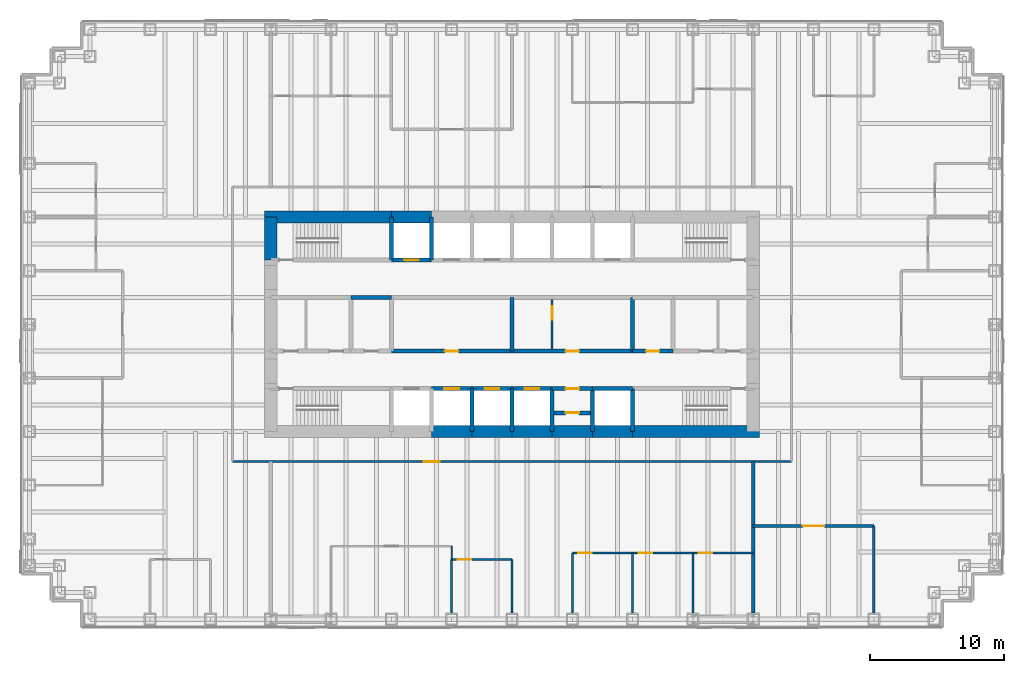
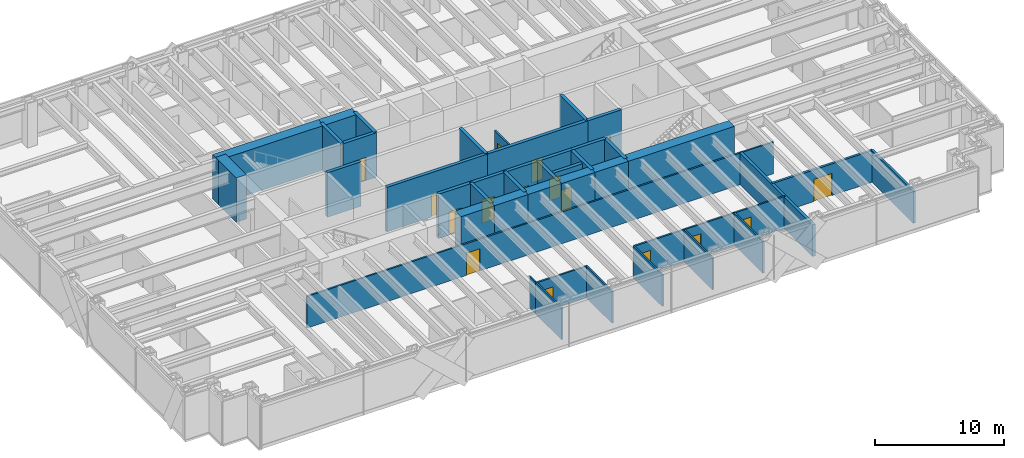
# One storey, part 14 of 17: 42 walls, 16 doors, 16 openings.
"""IFC4 building model written with IfcOpenShell, lengths in metres."""

from ifc_helpers import new_model, si_unit, direction, frame, frame_2d, origin, place, context, subcontext, project, spatial, rectangle, extrude, material, layer, layer_set, type_object, element, fill, save


model = new_model("IFC4")

# Units and contexts
model_context = context("Model", 3, precision=1e-05, world=origin(), true_north=direction((0.0, 1.0)))
body_context = subcontext(model_context, "Body", "Model", "MODEL_VIEW")
ifc_project = project(units=[si_unit("LENGTHUNIT", "METRE"), si_unit("AREAUNIT", "SQUARE_METRE"), si_unit("VOLUMEUNIT", "CUBIC_METRE"), si_unit("PLANEANGLEUNIT", "RADIAN"), si_unit("MASSUNIT", "GRAM", prefix="KILO")], contexts=[model_context])

# Site, building, storey
site_placement = place(None, origin())
site = spatial("IfcSite", under=ifc_project, at=site_placement, CompositionType="ELEMENT")
building_placement = place(site_placement, origin())
building = spatial("IfcBuilding", under=site, at=building_placement, Name="Rheinbord Bourse Tower", CompositionType="ELEMENT")
storey_placement = place(building_placement, frame((0.0, 0.0, 138.300048828125)))
storey = spatial("IfcBuildingStorey", under=building, at=storey_placement, Name="L30", CompositionType="ELEMENT", Elevation=138.300048828125)

# Wall, opening, door
ifc_material_1 = material(Name="Acoustic gypsum board partition", Category="gypsum board")
ifc_layer_1 = layer(ifc_material_1, 0.199951171875)
ifc_layer_set_1 = layer_set([ifc_layer_1], Name="ACOUSTIC PARTITION 200")
wall_type_1 = type_object("IfcWallType", Name="ACOUSTIC PARTITION 200", PredefinedType="PARTITIONING", material=ifc_layer_set_1)
wall_1_placement = place(storey_placement, frame((54.0, 8.949951171875, 0.0), z_axis=(0.0, 0.0, 1.0), x_axis=(1.0, 0.0, 0.0)))
wall_1 = element("IfcWall", 1, at=wall_1_placement, inside=storey, type_object=wall_type_1, Name="Partition L30-05", PredefinedType="PARTITIONING", context=body_context, shape_type="SweptSolid", body=[
    extrude(rectangle(XDim=9.0, YDim=0.199951171875, at=frame_2d((4.5, 0.0))), origin(), (0.0, 0.0, 1.0), 3.0),
])
opening_1_placement = place(wall_1_placement, frame((3.699951171875, 0.0, 0.0)))
opening_1 = element("IfcOpeningElement", 2, at=opening_1_placement, cuts=wall_1, Name="Opening 30D07", PredefinedType="OPENING", context=body_context, shape_type="SweptSolid", body=[
    extrude(rectangle(XDim=1.60009765625, YDim=2.10009765625, at=frame_2d((0.800048828125, 1.050048828125))), frame((0.0, 0.10986328125, 0.0), z_axis=(0.0, -1.0, 0.0), x_axis=(1.0, 0.0, 0.0)), (0.0, 0.0, 1.0), 0.219970703125),
])
ifc_material_2 = material(Name="Timber door", Category="wood")
door_type_1 = type_object("IfcDoorType", Name="DOUBLE ROOM DOOR 1600", OperationType="DOUBLE_DOOR_DOUBLE_SWING", PredefinedType="DOOR", material=ifc_material_2)
door_1_placement = place(opening_1_placement, origin())
door_1 = element("IfcDoor", 3, at=door_1_placement, inside=storey, type_object=door_type_1, Name="Suite boardroom door L30", OperationType="SINGLE_SWING_LEFT", OverallHeight=2.10009765625, OverallWidth=1.60009765625, PredefinedType="DOOR", context=body_context, shape_type="SweptSolid", body=[
    extrude(rectangle(XDim=1.60009765625, YDim=2.10009765625, at=frame_2d((0.800048828125, 1.050048828125))), frame((0.0, 0.02490234375, 0.0), z_axis=(0.0, -1.0, 0.0), x_axis=(1.0, 0.0, 0.0)), (0.0, 0.0, 1.0), 0.050048828125),
])
fill(opening_1, door_1)

# Wall
wall_2_placement = place(storey_placement, frame((63.0, 2.449951171875, 0.0), z_axis=(0.0, 0.0, 1.0), x_axis=(0.0, 1.0, 0.0)))
element("IfcWall", 4, at=wall_2_placement, inside=storey, type_object=wall_type_1, Name="Partition L30-48", PredefinedType="PARTITIONING", context=body_context, shape_type="SweptSolid", body=[
    extrude(rectangle(XDim=6.5, YDim=0.199951171875, at=frame_2d((3.25, 0.0))), origin(), (0.0, 0.0, 1.0), 3.0),
])

# Wall, opening, door
ifc_material_3 = material(Name="Concrete C50/60", Category="concrete")
ifc_layer_2 = layer(ifc_material_3, 0.300048828125)
ifc_layer_set_2 = layer_set([ifc_layer_2], Name="CORE INNER WALL 300")
wall_type_2 = type_object("IfcWallType", Name="CORE INNER WALL 300", PredefinedType="SOLIDWALL", material=ifc_layer_set_2)
wall_3_placement = place(storey_placement, frame((30.0, 19.199951171875, 0.0), z_axis=(0.0, 0.0, 1.0), x_axis=(1.0, 0.0, 0.0)))
wall_3 = element("IfcWall", 5, at=wall_3_placement, inside=storey, type_object=wall_type_2, Name="Core wall A3 L30", PredefinedType="SOLIDWALL", context=body_context, shape_type="SweptSolid", body=[
    extrude(rectangle(XDim=3.0, YDim=0.300048828125, at=frame_2d((1.5, 0.0))), origin(), (0.0, 0.0, 1.0), 4.199951171875),
])
opening_2_placement = place(wall_3_placement, frame((0.949951171875, 0.0, 0.0)))
opening_2 = element("IfcOpeningElement", 6, at=opening_2_placement, cuts=wall_3, Name="Opening PB1", PredefinedType="OPENING", context=body_context, shape_type="SweptSolid", body=[
    extrude(rectangle(XDim=1.10009765625, YDim=2.199951171875, at=frame_2d((0.550048828125, 1.10009765625))), frame((0.0, 0.159912109375, 0.0), z_axis=(0.0, -1.0, 0.0), x_axis=(1.0, 0.0, 0.0)), (0.0, 0.0, 1.0), 0.320068359375),
])
ifc_material_4 = material(Name="Steel landing door", Category="steel")
door_type_2 = type_object("IfcDoorType", Name="LIFT LANDING DOOR 1100", OperationType="DOUBLE_DOOR_SLIDING", PredefinedType="USERDEFINED", material=ifc_material_4)
door_2_placement = place(opening_2_placement, origin())
door_2 = element("IfcDoor", 7, at=door_2_placement, inside=storey, type_object=door_type_2, Name="Lift landing door PB1 L30", ObjectType="LIFT LANDING DOOR", OperationType="DOUBLE_DOOR_SLIDING", OverallHeight=2.199951171875, OverallWidth=1.10009765625, PredefinedType="USERDEFINED", context=body_context, shape_type="SweptSolid", body=[
    extrude(rectangle(XDim=1.10009765625, YDim=2.199951171875, at=frame_2d((0.550048828125, 1.10009765625))), frame((0.0, 0.02490234375, 0.0), z_axis=(0.0, -1.0, 0.0), x_axis=(1.0, 0.0, 0.0)), (0.0, 0.0, 1.0), 0.050048828125),
])
fill(opening_2, door_2)

wall_4_placement = place(storey_placement, frame((33.0, 19.199951171875, 0.0), z_axis=(0.0, 0.0, 1.0), x_axis=(1.0, 0.0, 0.0)))
wall_4 = element("IfcWall", 8, at=wall_4_placement, inside=storey, type_object=wall_type_2, Name="Core wall A4 L30", PredefinedType="SOLIDWALL", context=body_context, shape_type="SweptSolid", body=[
    extrude(rectangle(XDim=3.0, YDim=0.300048828125, at=frame_2d((1.5, 0.0))), origin(), (0.0, 0.0, 1.0), 4.199951171875),
])
opening_3_placement = place(wall_4_placement, frame((0.949951171875, 0.0, 0.0)))
opening_3 = element("IfcOpeningElement", 9, at=opening_3_placement, cuts=wall_4, Name="Opening PB2", PredefinedType="OPENING", context=body_context, shape_type="SweptSolid", body=[
    extrude(rectangle(XDim=1.10009765625, YDim=2.199951171875, at=frame_2d((0.550048828125, 1.10009765625))), frame((0.0, 0.159912109375, 0.0), z_axis=(0.0, -1.0, 0.0), x_axis=(1.0, 0.0, 0.0)), (0.0, 0.0, 1.0), 0.320068359375),
])
door_3_placement = place(opening_3_placement, origin())
door_3 = element("IfcDoor", 10, at=door_3_placement, inside=storey, type_object=door_type_2, Name="Lift landing door PB2 L30", ObjectType="LIFT LANDING DOOR", OperationType="DOUBLE_DOOR_SLIDING", OverallHeight=2.199951171875, OverallWidth=1.10009765625, PredefinedType="USERDEFINED", context=body_context, shape_type="SweptSolid", body=[
    extrude(rectangle(XDim=1.10009765625, YDim=2.199951171875, at=frame_2d((0.550048828125, 1.10009765625))), frame((0.0, 0.02490234375, 0.0), z_axis=(0.0, -1.0, 0.0), x_axis=(1.0, 0.0, 0.0)), (0.0, 0.0, 1.0), 0.050048828125),
])
fill(opening_3, door_3)

wall_5_placement = place(storey_placement, frame((36.0, 19.199951171875, 0.0), z_axis=(0.0, 0.0, 1.0), x_axis=(1.0, 0.0, 0.0)))
wall_5 = element("IfcWall", 11, at=wall_5_placement, inside=storey, type_object=wall_type_2, Name="Core wall A5 L30", PredefinedType="SOLIDWALL", context=body_context, shape_type="SweptSolid", body=[
    extrude(rectangle(XDim=3.0, YDim=0.300048828125, at=frame_2d((1.5, 0.0))), origin(), (0.0, 0.0, 1.0), 4.199951171875),
])
opening_4_placement = place(wall_5_placement, frame((0.949951171875, 0.0, 0.0)))
opening_4 = element("IfcOpeningElement", 12, at=opening_4_placement, cuts=wall_5, Name="Opening PB3", PredefinedType="OPENING", context=body_context, shape_type="SweptSolid", body=[
    extrude(rectangle(XDim=1.10009765625, YDim=2.199951171875, at=frame_2d((0.550048828125, 1.10009765625))), frame((0.0, 0.159912109375, 0.0), z_axis=(0.0, -1.0, 0.0), x_axis=(1.0, 0.0, 0.0)), (0.0, 0.0, 1.0), 0.320068359375),
])
door_4_placement = place(opening_4_placement, origin())
door_4 = element("IfcDoor", 13, at=door_4_placement, inside=storey, type_object=door_type_2, Name="Lift landing door PB3 L30", ObjectType="LIFT LANDING DOOR", OperationType="DOUBLE_DOOR_SLIDING", OverallHeight=2.199951171875, OverallWidth=1.10009765625, PredefinedType="USERDEFINED", context=body_context, shape_type="SweptSolid", body=[
    extrude(rectangle(XDim=1.10009765625, YDim=2.199951171875, at=frame_2d((0.550048828125, 1.10009765625))), frame((0.0, 0.02490234375, 0.0), z_axis=(0.0, -1.0, 0.0), x_axis=(1.0, 0.0, 0.0)), (0.0, 0.0, 1.0), 0.050048828125),
])
fill(opening_4, door_4)

wall_6_placement = place(storey_placement, frame((39.0, 19.199951171875, 0.0), z_axis=(0.0, 0.0, 1.0), x_axis=(1.0, 0.0, 0.0)))
wall_6 = element("IfcWall", 14, at=wall_6_placement, inside=storey, type_object=wall_type_2, Name="Core wall A6 L30", PredefinedType="SOLIDWALL", context=body_context, shape_type="SweptSolid", body=[
    extrude(rectangle(XDim=3.0, YDim=0.300048828125, at=frame_2d((1.5, 0.0))), origin(), (0.0, 0.0, 1.0), 4.199951171875),
])
opening_5_placement = place(wall_6_placement, frame((1.0, 0.0, 0.0)))
opening_5 = element("IfcOpeningElement", 15, at=opening_5_placement, cuts=wall_6, Name="Opening 30R8", PredefinedType="OPENING", context=body_context, shape_type="SweptSolid", body=[
    extrude(rectangle(XDim=1.0, YDim=2.10009765625, at=frame_2d((0.5, 1.050048828125))), frame((0.0, 0.159912109375, 0.0), z_axis=(0.0, -1.0, 0.0), x_axis=(1.0, 0.0, 0.0)), (0.0, 0.0, 1.0), 0.320068359375),
])
ifc_material_5 = material(Name="Steel door", Category="steel")
door_type_3 = type_object("IfcDoorType", Name="DOOR 1000 EI30", OperationType="SINGLE_SWING_LEFT", PredefinedType="DOOR", material=ifc_material_5)
door_5_placement = place(opening_5_placement, origin())
door_5 = element("IfcDoor", 16, at=door_5_placement, inside=storey, type_object=door_type_3, Name="Supplies store door L30", OperationType="SINGLE_SWING_LEFT", OverallHeight=2.10009765625, OverallWidth=1.0, PredefinedType="DOOR", context=body_context, shape_type="SweptSolid", body=[
    extrude(rectangle(XDim=1.0, YDim=2.10009765625, at=frame_2d((0.5, 1.050048828125))), frame((0.0, 0.02490234375, 0.0), z_axis=(0.0, -1.0, 0.0), x_axis=(1.0, 0.0, 0.0)), (0.0, 0.0, 1.0), 0.050048828125),
])
fill(opening_5, door_5)

# Wall
wall_7_placement = place(storey_placement, frame((42.0, 19.199951171875, 0.0), z_axis=(0.0, 0.0, 1.0), x_axis=(1.0, 0.0, 0.0)))
element("IfcWall", 17, at=wall_7_placement, inside=storey, type_object=wall_type_2, Name="Core wall A7 L30", PredefinedType="SOLIDWALL", context=body_context, shape_type="SweptSolid", body=[
    extrude(rectangle(XDim=3.0, YDim=0.300048828125, at=frame_2d((1.5, 0.0))), origin(), (0.0, 0.0, 1.0), 4.199951171875),
])

# Wall, opening, door
wall_8_placement = place(storey_placement, frame((27.0, 28.800048828125, 0.0), z_axis=(0.0, 0.0, 1.0), x_axis=(1.0, 0.0, 0.0)))
wall_8 = element("IfcWall", 18, at=wall_8_placement, inside=storey, type_object=wall_type_2, Name="Core wall B2 L30", PredefinedType="SOLIDWALL", context=body_context, shape_type="SweptSolid", body=[
    extrude(rectangle(XDim=3.0, YDim=0.300048828125, at=frame_2d((1.5, 0.0))), origin(), (0.0, 0.0, 1.0), 4.199951171875),
])
opening_6_placement = place(wall_8_placement, frame((0.949951171875, 0.0, 0.0)))
opening_6 = element("IfcOpeningElement", 19, at=opening_6_placement, cuts=wall_8, Name="Opening GL1", PredefinedType="OPENING", context=body_context, shape_type="SweptSolid", body=[
    extrude(rectangle(XDim=1.10009765625, YDim=2.199951171875, at=frame_2d((0.550048828125, 1.10009765625))), frame((0.0, 0.159912109375, 0.0), z_axis=(0.0, -1.0, 0.0), x_axis=(1.0, 0.0, 0.0)), (0.0, 0.0, 1.0), 0.320068359375),
])
door_6_placement = place(opening_6_placement, origin())
door_6 = element("IfcDoor", 20, at=door_6_placement, inside=storey, type_object=door_type_2, Name="Lift landing door GL1 L30", ObjectType="LIFT LANDING DOOR", OperationType="DOUBLE_DOOR_SLIDING", OverallHeight=2.199951171875, OverallWidth=1.10009765625, PredefinedType="USERDEFINED", context=body_context, shape_type="SweptSolid", body=[
    extrude(rectangle(XDim=1.10009765625, YDim=2.199951171875, at=frame_2d((0.550048828125, 1.10009765625))), frame((0.0, 0.02490234375, 0.0), z_axis=(0.0, -1.0, 0.0), x_axis=(1.0, 0.0, 0.0)), (0.0, 0.0, 1.0), 0.050048828125),
])
fill(opening_6, door_6)

wall_9_placement = place(storey_placement, frame((27.0, 22.0, 0.0), z_axis=(0.0, 0.0, 1.0), x_axis=(1.0, 0.0, 0.0)))
wall_9 = element("IfcWall", 21, at=wall_9_placement, inside=storey, type_object=wall_type_2, Name="Core wall C3 L30", PredefinedType="SOLIDWALL", context=body_context, shape_type="SweptSolid", body=[
    extrude(rectangle(XDim=9.0, YDim=0.300048828125, at=frame_2d((4.5, 0.0))), origin(), (0.0, 0.0, 1.0), 4.199951171875),
])
opening_7_placement = place(wall_9_placement, frame((4.0, 0.0, 0.0)))
opening_7 = element("IfcOpeningElement", 22, at=opening_7_placement, cuts=wall_9, Name="Opening 30R3", PredefinedType="OPENING", context=body_context, shape_type="SweptSolid", body=[
    extrude(rectangle(XDim=1.0, YDim=2.10009765625, at=frame_2d((0.5, 1.050048828125))), frame((0.0, 0.159912109375, 0.0), z_axis=(0.0, -1.0, 0.0), x_axis=(1.0, 0.0, 0.0)), (0.0, 0.0, 1.0), 0.320068359375),
])
door_7_placement = place(opening_7_placement, origin())
door_7 = element("IfcDoor", 23, at=door_7_placement, inside=storey, type_object=door_type_3, Name="Riser door L30", OperationType="SINGLE_SWING_LEFT", OverallHeight=2.10009765625, OverallWidth=1.0, PredefinedType="DOOR", context=body_context, shape_type="SweptSolid", body=[
    extrude(rectangle(XDim=1.0, YDim=2.10009765625, at=frame_2d((0.5, 1.050048828125))), frame((0.0, 0.02490234375, 0.0), z_axis=(0.0, -1.0, 0.0), x_axis=(1.0, 0.0, 0.0)), (0.0, 0.0, 1.0), 0.050048828125),
])
fill(opening_7, door_7)

wall_10_placement = place(storey_placement, frame((36.0, 22.0, 0.0), z_axis=(0.0, 0.0, 1.0), x_axis=(1.0, 0.0, 0.0)))
wall_10 = element("IfcWall", 24, at=wall_10_placement, inside=storey, type_object=wall_type_2, Name="Core wall C4 L30", PredefinedType="SOLIDWALL", context=body_context, shape_type="SweptSolid", body=[
    extrude(rectangle(XDim=9.0, YDim=0.300048828125, at=frame_2d((4.5, 0.0))), origin(), (0.0, 0.0, 1.0), 4.199951171875),
])
opening_8_placement = place(wall_10_placement, frame((4.0, 0.0, 0.0)))
opening_8 = element("IfcOpeningElement", 25, at=opening_8_placement, cuts=wall_10, Name="Opening 30R4", PredefinedType="OPENING", context=body_context, shape_type="SweptSolid", body=[
    extrude(rectangle(XDim=1.0, YDim=2.10009765625, at=frame_2d((0.5, 1.050048828125))), frame((0.0, 0.159912109375, 0.0), z_axis=(0.0, -1.0, 0.0), x_axis=(1.0, 0.0, 0.0)), (0.0, 0.0, 1.0), 0.320068359375),
])
door_8_placement = place(opening_8_placement, origin())
door_8 = element("IfcDoor", 26, at=door_8_placement, inside=storey, type_object=door_type_3, Name="Pantry door L30", OperationType="SINGLE_SWING_LEFT", OverallHeight=2.10009765625, OverallWidth=1.0, PredefinedType="DOOR", context=body_context, shape_type="SweptSolid", body=[
    extrude(rectangle(XDim=1.0, YDim=2.10009765625, at=frame_2d((0.5, 1.050048828125))), frame((0.0, 0.02490234375, 0.0), z_axis=(0.0, -1.0, 0.0), x_axis=(1.0, 0.0, 0.0)), (0.0, 0.0, 1.0), 0.050048828125),
])
fill(opening_8, door_8)

wall_11_placement = place(storey_placement, frame((45.0, 22.0, 0.0), z_axis=(0.0, 0.0, 1.0), x_axis=(1.0, 0.0, 0.0)))
wall_11 = element("IfcWall", 27, at=wall_11_placement, inside=storey, type_object=wall_type_2, Name="Core wall C5 L30", PredefinedType="SOLIDWALL", context=body_context, shape_type="SweptSolid", body=[
    extrude(rectangle(XDim=3.0, YDim=0.300048828125, at=frame_2d((1.5, 0.0))), origin(), (0.0, 0.0, 1.0), 4.199951171875),
])
opening_9_placement = place(wall_11_placement, frame((1.0, 0.0, 0.0)))
opening_9 = element("IfcOpeningElement", 28, at=opening_9_placement, cuts=wall_11, Name="Opening 30R5", PredefinedType="OPENING", context=body_context, shape_type="SweptSolid", body=[
    extrude(rectangle(XDim=1.0, YDim=2.10009765625, at=frame_2d((0.5, 1.050048828125))), frame((0.0, 0.159912109375, 0.0), z_axis=(0.0, -1.0, 0.0), x_axis=(1.0, 0.0, 0.0)), (0.0, 0.0, 1.0), 0.320068359375),
])
ifc_material_6 = material(Name="Timber door", Category="wood")
door_type_4 = type_object("IfcDoorType", Name="DOOR 1000 WC", OperationType="SINGLE_SWING_LEFT", PredefinedType="DOOR", material=ifc_material_6)
door_9_placement = place(opening_9_placement, origin())
door_9 = element("IfcDoor", 29, at=door_9_placement, inside=storey, type_object=door_type_4, Name="Accessible WC door L30", OperationType="SINGLE_SWING_LEFT", OverallHeight=2.10009765625, OverallWidth=1.0, PredefinedType="DOOR", context=body_context, shape_type="SweptSolid", body=[
    extrude(rectangle(XDim=1.0, YDim=2.10009765625, at=frame_2d((0.5, 1.050048828125))), frame((0.0, 0.02490234375, 0.0), z_axis=(0.0, -1.0, 0.0), x_axis=(1.0, 0.0, 0.0)), (0.0, 0.0, 1.0), 0.050048828125),
])
fill(opening_9, door_9)

# Walls
wall_12_placement = place(storey_placement, frame((24.0, 26.0, 0.0), z_axis=(0.0, 0.0, 1.0), x_axis=(1.0, 0.0, 0.0)))
element("IfcWall", 30, at=wall_12_placement, inside=storey, type_object=wall_type_2, Name="Core wall D2 L30", PredefinedType="SOLIDWALL", context=body_context, shape_type="SweptSolid", body=[
    extrude(rectangle(XDim=3.0, YDim=0.300048828125, at=frame_2d((1.5, 0.0))), origin(), (0.0, 0.0, 1.0), 4.199951171875),
])
for number, where, z_axis, x_axis, name in (
    (31, (27.0, 28.800048828125, 0.0), (0.0, 0.0, 1.0), (0.0, 1.0, 0.0), "Core wall NX27 L30"),
    (32, (30.0, 28.800048828125, 0.0), (0.0, 0.0, 1.0), (0.0, 1.0, 0.0), "Core wall NX30 L30"),
    (33, (33.0, 16.0, 0.0), (0.0, 0.0, 1.0), (0.0, 1.0, 0.0), "Core wall SX33 L30"),
    (34, (36.0, 16.0, 0.0), (0.0, 0.0, 1.0), (0.0, 1.0, 0.0), "Core wall SX36 L30"),
    (35, (39.0, 16.0, 0.0), (0.0, 0.0, 1.0), (0.0, 1.0, 0.0), "Core wall SX39 L30"),
    (36, (42.0, 16.0, 0.0), (0.0, 0.0, 1.0), (0.0, 1.0, 0.0), "Core wall SX42 L30"),
    (37, (45.0, 16.0, 0.0), (0.0, 0.0, 1.0), (0.0, 1.0, 0.0), "Core wall SX45 L30"),
):
    element("IfcWall", number, at=place(storey_placement, frame(where, z_axis=z_axis, x_axis=x_axis)), inside=storey, type_object=wall_type_2, Name=name, PredefinedType="SOLIDWALL", context=body_context, shape_type="SweptSolid", body=[
        extrude(rectangle(XDim=3.199951171875, YDim=0.300048828125, at=frame_2d((1.60009765625, 0.0))), origin(), (0.0, 0.0, 1.0), 4.199951171875),
    ])
for number, where, z_axis, x_axis, name in (
    (38, (36.0, 22.0, 0.0), (0.0, 0.0, 1.0), (0.0, 1.0, 0.0), "Core wall MX36 L30"),
    (39, (45.0, 22.0, 0.0), (0.0, 0.0, 1.0), (0.0, 1.0, 0.0), "Core wall MX45 L30"),
):
    element("IfcWall", number, at=place(storey_placement, frame(where, z_axis=z_axis, x_axis=x_axis)), inside=storey, type_object=wall_type_2, Name=name, PredefinedType="SOLIDWALL", context=body_context, shape_type="SweptSolid", body=[
        extrude(rectangle(XDim=4.0, YDim=0.300048828125, at=frame_2d((2.0, 0.0))), origin(), (0.0, 0.0, 1.0), 4.199951171875),
    ])

# Wall, opening, door
wall_13_placement = place(storey_placement, frame((39.14990234375, 17.39990234375, 0.0), z_axis=(0.0, 0.0, 1.0), x_axis=(1.0, 0.0, 0.0)))
wall_13 = element("IfcWall", 40, at=wall_13_placement, inside=storey, type_object=wall_type_2, Name="Core riser wall L30-6", PredefinedType="SOLIDWALL", context=body_context, shape_type="SweptSolid", body=[
    extrude(rectangle(XDim=2.7001953125, YDim=0.300048828125, at=frame_2d((1.35009765625, 0.0))), origin(), (0.0, 0.0, 1.0), 4.0400390625),
])
opening_10_placement = place(wall_13_placement, frame((0.85009765625, 0.0, 0.0)))
opening_10 = element("IfcOpeningElement", 41, at=opening_10_placement, cuts=wall_13, Name="Opening 30R12", PredefinedType="OPENING", context=body_context, shape_type="SweptSolid", body=[
    extrude(rectangle(XDim=1.0, YDim=2.10009765625, at=frame_2d((0.5, 1.050048828125))), frame((0.0, 0.159912109375, 0.0), z_axis=(0.0, -1.0, 0.0), x_axis=(1.0, 0.0, 0.0)), (0.0, 0.0, 1.0), 0.320068359375),
])
door_10_placement = place(opening_10_placement, origin())
door_10 = element("IfcDoor", 42, at=door_10_placement, inside=storey, type_object=door_type_3, Name="Comms riser door L30", OperationType="SINGLE_SWING_LEFT", OverallHeight=2.10009765625, OverallWidth=1.0, PredefinedType="DOOR", context=body_context, shape_type="SweptSolid", body=[
    extrude(rectangle(XDim=1.0, YDim=2.10009765625, at=frame_2d((0.5, 1.050048828125))), frame((0.0, 0.02490234375, 0.0), z_axis=(0.0, -1.0, 0.0), x_axis=(1.0, 0.0, 0.0)), (0.0, 0.0, 1.0), 0.050048828125),
])
fill(opening_10, door_10)

ifc_material_7 = material(Name="Gypsum board fire partition", Category="gypsum board")
ifc_layer_3 = layer(ifc_material_7, 0.14990234375)
ifc_layer_set_3 = layer_set([ifc_layer_3], Name="CORE PARTITION 150 EI30")
wall_type_3 = type_object("IfcWallType", Name="CORE PARTITION 150 EI30", PredefinedType="PARTITIONING", material=ifc_layer_set_3)
wall_14_placement = place(storey_placement, frame((39.0, 22.14990234375, 0.0), z_axis=(0.0, 0.0, 1.0), x_axis=(0.0, 1.0, 0.0)))
wall_14 = element("IfcWall", 43, at=wall_14_placement, inside=storey, type_object=wall_type_3, Name="Core partition L30-1", PredefinedType="PARTITIONING", context=body_context, shape_type="SweptSolid", body=[
    extrude(rectangle(XDim=3.7001953125, YDim=0.14990234375, at=frame_2d((1.85009765625, 0.0))), origin(), (0.0, 0.0, 1.0), 3.0),
])
opening_11_placement = place(wall_14_placement, frame((2.199951171875, 0.0, 0.0)))
opening_11 = element("IfcOpeningElement", 44, at=opening_11_placement, cuts=wall_14, Name="Opening 30R7", PredefinedType="OPENING", context=body_context, shape_type="SweptSolid", body=[
    extrude(rectangle(XDim=1.0, YDim=2.10009765625, at=frame_2d((0.5, 1.050048828125))), frame((0.0, 0.0849609375, 0.0), z_axis=(0.0, -1.0, 0.0), x_axis=(1.0, 0.0, 0.0)), (0.0, 0.0, 1.0), 0.169921875),
])
door_11_placement = place(opening_11_placement, origin())
door_11 = element("IfcDoor", 45, at=door_11_placement, inside=storey, type_object=door_type_3, Name="Cleaner's store door L30", OperationType="SINGLE_SWING_RIGHT", OverallHeight=2.10009765625, OverallWidth=1.0, PredefinedType="DOOR", context=body_context, shape_type="SweptSolid", body=[
    extrude(rectangle(XDim=1.0, YDim=2.10009765625, at=frame_2d((0.5, 1.050048828125))), frame((0.0, 0.02490234375, 0.0), z_axis=(0.0, -1.0, 0.0), x_axis=(1.0, 0.0, 0.0)), (0.0, 0.0, 1.0), 0.050048828125),
])
fill(opening_11, door_11)

# Walls
ifc_material_8 = material(Name="Concrete C50/60", Category="concrete")
ifc_layer_4 = layer(ifc_material_8, 0.89990234375)
ifc_layer_set_4 = layer_set([ifc_layer_4], Name="CORE WALL 900")
wall_type_4 = type_object("IfcWallType", Name="CORE WALL 900", PredefinedType="SHEAR", material=ifc_layer_set_4)
for number, where, z_axis, x_axis, name in (
    (46, (30.0, 16.0, 0.0), (0.0, 0.0, 1.0), (1.0, 0.0, 0.0), "Core wall S3 L30"),
    (47, (33.0, 16.0, 0.0), (0.0, 0.0, 1.0), (1.0, 0.0, 0.0), "Core wall S4 L30"),
    (48, (36.0, 16.0, 0.0), (0.0, 0.0, 1.0), (1.0, 0.0, 0.0), "Core wall S5 L30"),
    (49, (39.0, 16.0, 0.0), (0.0, 0.0, 1.0), (1.0, 0.0, 0.0), "Core wall S6 L30"),
    (50, (42.0, 16.0, 0.0), (0.0, 0.0, 1.0), (1.0, 0.0, 0.0), "Core wall S7 L30"),
):
    element("IfcWall", number, at=place(storey_placement, frame(where, z_axis=z_axis, x_axis=x_axis)), inside=storey, type_object=wall_type_4, Name=name, PredefinedType="SHEAR", context=body_context, shape_type="SweptSolid", body=[
        extrude(rectangle(XDim=3.0, YDim=0.89990234375, at=frame_2d((1.5, 0.0))), origin(), (0.0, 0.0, 1.0), 4.199951171875),
    ])
wall_15_placement = place(storey_placement, frame((45.0, 16.0, 0.0), z_axis=(0.0, 0.0, 1.0), x_axis=(1.0, 0.0, 0.0)))
element("IfcWall", 51, at=wall_15_placement, inside=storey, type_object=wall_type_4, Name="Core wall S8 L30", PredefinedType="SHEAR", context=body_context, shape_type="SweptSolid", body=[
    extrude(rectangle(XDim=9.449951171875, YDim=0.89990234375, at=frame_2d((4.72509765625, 0.0))), origin(), (0.0, 0.0, 1.0), 4.199951171875),
])
wall_16_placement = place(storey_placement, frame((30.0, 32.0, 0.0), z_axis=(0.0, 0.0, 1.0), x_axis=(-1.0, 0.0, 0.0)))
element("IfcWall", 52, at=wall_16_placement, inside=storey, type_object=wall_type_4, Name="Core wall N7 L30", PredefinedType="SHEAR", context=body_context, shape_type="SweptSolid", body=[
    extrude(rectangle(XDim=3.0, YDim=0.89990234375, at=frame_2d((1.5, 0.0))), origin(), (0.0, 0.0, 1.0), 4.199951171875),
])
wall_17_placement = place(storey_placement, frame((27.0, 32.0, 0.0), z_axis=(0.0, 0.0, 1.0), x_axis=(-1.0, 0.0, 0.0)))
element("IfcWall", 53, at=wall_17_placement, inside=storey, type_object=wall_type_4, Name="Core wall N8 L30", PredefinedType="SHEAR", context=body_context, shape_type="SweptSolid", body=[
    extrude(rectangle(XDim=9.449951171875, YDim=0.89990234375, at=frame_2d((4.72509765625, 0.0))), origin(), (0.0, 0.0, 1.0), 4.199951171875),
])
wall_18_placement = place(storey_placement, frame((18.0, 32.0, 0.0), z_axis=(0.0, 0.0, 1.0), x_axis=(0.0, -1.0, 0.0)))
element("IfcWall", 54, at=wall_18_placement, inside=storey, type_object=wall_type_4, Name="Core wall W1 L30", PredefinedType="SHEAR", context=body_context, shape_type="SweptSolid", body=[
    extrude(rectangle(XDim=3.199951171875, YDim=0.89990234375, at=frame_2d((1.60009765625, 0.0))), origin(), (0.0, 0.0, 1.0), 4.199951171875),
])

# Wall, opening, door
ifc_material_9 = material(Name="Gypsum board corridor partition", Category="gypsum board")
ifc_layer_5 = layer(ifc_material_9, 0.14990234375)
ifc_layer_set_5 = layer_set([ifc_layer_5], Name="CORRIDOR PARTITION 150 EI30")
wall_type_5 = type_object("IfcWallType", Name="CORRIDOR PARTITION 150 EI30", PredefinedType="PARTITIONING", material=ifc_layer_set_5)
wall_19_placement = place(storey_placement, frame((15.14990234375, 13.75, 0.0), z_axis=(0.0, 0.0, 1.0), x_axis=(1.0, 0.0, 0.0)))
wall_19 = element("IfcWall", 55, at=wall_19_placement, inside=storey, type_object=wall_type_5, Name="Partition L30-08", PredefinedType="PARTITIONING", context=body_context, shape_type="SweptSolid", body=[
    extrude(rectangle(XDim=41.7001953125, YDim=0.14990234375, at=frame_2d((20.85009765625, 0.0))), origin(), (0.0, 0.0, 1.0), 3.0),
])
opening_12_placement = place(wall_19_placement, frame((14.25, 0.0, 0.0)))
opening_12 = element("IfcOpeningElement", 56, at=opening_12_placement, cuts=wall_19, Name="Opening 30D23", PredefinedType="OPENING", context=body_context, shape_type="SweptSolid", body=[
    extrude(rectangle(XDim=1.199951171875, YDim=2.10009765625, at=frame_2d((0.60009765625, 1.050048828125))), frame((0.0, 0.0849609375, 0.0), z_axis=(0.0, -1.0, 0.0), x_axis=(1.0, 0.0, 0.0)), (0.0, 0.0, 1.0), 0.169921875),
])
ifc_material_10 = material(Name="Timber fire door", Category="wood")
door_type_5 = type_object("IfcDoorType", Name="SUITE ENTRANCE DOOR 1200 EI30", OperationType="SINGLE_SWING_LEFT", PredefinedType="DOOR", material=ifc_material_10)
door_12_placement = place(opening_12_placement, origin())
door_12 = element("IfcDoor", 57, at=door_12_placement, inside=storey, type_object=door_type_5, Name="Suite entrance 2 door L30", OperationType="SINGLE_SWING_LEFT", OverallHeight=2.10009765625, OverallWidth=1.199951171875, PredefinedType="DOOR", context=body_context, shape_type="SweptSolid", body=[
    extrude(rectangle(XDim=1.199951171875, YDim=2.10009765625, at=frame_2d((0.60009765625, 1.050048828125))), frame((0.0, 0.02490234375, 0.0), z_axis=(0.0, -1.0, 0.0), x_axis=(1.0, 0.0, 0.0)), (0.0, 0.0, 1.0), 0.050048828125),
])
fill(opening_12, door_12)

# Walls
ifc_material_11 = material(Name="Gypsum board tenancy wall", Category="gypsum board")
ifc_layer_6 = layer(ifc_material_11, 0.25)
ifc_layer_set_6 = layer_set([ifc_layer_6], Name="DEMISING PARTITION 250 EI60")
wall_type_6 = type_object("IfcWallType", Name="DEMISING PARTITION 250 EI60", PredefinedType="PARTITIONING", material=ifc_layer_set_6)
wall_20_placement = place(storey_placement, frame((54.0, 2.449951171875, 0.0), z_axis=(0.0, 0.0, 1.0), x_axis=(0.0, 1.0, 0.0)))
element("IfcWall", 58, at=wall_20_placement, inside=storey, type_object=wall_type_6, Name="Partition L30-44", PredefinedType="PARTITIONING", context=body_context, shape_type="SweptSolid", body=[
    extrude(rectangle(XDim=11.300048828125, YDim=0.25, at=frame_2d((5.64990234375, 0.0))), origin(), (0.0, 0.0, 1.0), 3.0),
])
ifc_material_12 = material(Name="Toughened laminated glass partition", Category="glass")
ifc_layer_7 = layer(ifc_material_12, 0.10009765625)
ifc_layer_set_7 = layer_set([ifc_layer_7], Name="GLAZED PARTITION 100")
wall_type_7 = type_object("IfcWallType", Name="GLAZED PARTITION 100", PredefinedType="PARTITIONING", material=ifc_layer_set_7)
wall_21_placement = place(storey_placement, frame((31.5, 6.449951171875, 0.0), z_axis=(0.0, 0.0, 1.0), x_axis=(0.0, 1.0, 0.0)))
element("IfcWall", 59, at=wall_21_placement, inside=storey, type_object=wall_type_7, Name="Partition L30-35", PredefinedType="PARTITIONING", context=body_context, shape_type="SweptSolid", body=[
    extrude(rectangle(XDim=1.0, YDim=0.10009765625, at=frame_2d((0.5, 0.0))), origin(), (0.0, 0.0, 1.0), 3.0),
])

# Wall, opening, door
ifc_material_13 = material(Name="Gypsum board partition", Category="gypsum board")
ifc_layer_8 = layer(ifc_material_13, 0.14990234375)
ifc_layer_set_8 = layer_set([ifc_layer_8], Name="PARTITION 150")
wall_type_8 = type_object("IfcWallType", Name="PARTITION 150", PredefinedType="PARTITIONING", material=ifc_layer_set_8)
wall_22_placement = place(storey_placement, frame((31.5, 6.449951171875, 0.0), z_axis=(0.0, 0.0, 1.0), x_axis=(1.0, 0.0, 0.0)))
wall_22 = element("IfcWall", 60, at=wall_22_placement, inside=storey, type_object=wall_type_8, Name="Partition L30-02", PredefinedType="PARTITIONING", context=body_context, shape_type="SweptSolid", body=[
    extrude(rectangle(XDim=4.5, YDim=0.14990234375, at=frame_2d((2.25, 0.0))), origin(), (0.0, 0.0, 1.0), 3.0),
])
opening_13_placement = place(wall_22_placement, frame((0.449951171875, 0.0, 0.0)))
opening_13 = element("IfcOpeningElement", 61, at=opening_13_placement, cuts=wall_22, Name="Opening 30D02", PredefinedType="OPENING", context=body_context, shape_type="SweptSolid", body=[
    extrude(rectangle(XDim=1.0, YDim=2.10009765625, at=frame_2d((0.5, 1.050048828125))), frame((0.0, 0.0849609375, 0.0), z_axis=(0.0, -1.0, 0.0), x_axis=(1.0, 0.0, 0.0)), (0.0, 0.0, 1.0), 0.169921875),
])
ifc_material_14 = material(Name="Timber door", Category="wood")
door_type_6 = type_object("IfcDoorType", Name="ROOM DOOR 1000", OperationType="SINGLE_SWING_LEFT", PredefinedType="DOOR", material=ifc_material_14)
door_13_placement = place(opening_13_placement, origin())
door_13 = element("IfcDoor", 62, at=door_13_placement, inside=storey, type_object=door_type_6, Name="Kitchenette door L30", OperationType="SINGLE_SWING_LEFT", OverallHeight=2.10009765625, OverallWidth=1.0, PredefinedType="DOOR", context=body_context, shape_type="SweptSolid", body=[
    extrude(rectangle(XDim=1.0, YDim=2.10009765625, at=frame_2d((0.5, 1.050048828125))), frame((0.0, 0.02490234375, 0.0), z_axis=(0.0, -1.0, 0.0), x_axis=(1.0, 0.0, 0.0)), (0.0, 0.0, 1.0), 0.050048828125),
])
fill(opening_13, door_13)

# Wall, openings, doors
wall_23_placement = place(storey_placement, frame((40.5, 6.949951171875, 0.0), z_axis=(0.0, 0.0, 1.0), x_axis=(1.0, 0.0, 0.0)))
wall_23 = element("IfcWall", 63, at=wall_23_placement, inside=storey, type_object=wall_type_8, Name="Partition L30-03", PredefinedType="PARTITIONING", context=body_context, shape_type="SweptSolid", body=[
    extrude(rectangle(XDim=13.5, YDim=0.14990234375, at=frame_2d((6.75, 0.0))), origin(), (0.0, 0.0, 1.0), 3.0),
])
opening_14_placement = place(wall_23_placement, frame((0.449951171875, 0.0, 0.0)))
opening_14 = element("IfcOpeningElement", 64, at=opening_14_placement, cuts=wall_23, Name="Opening 30D03", PredefinedType="OPENING", context=body_context, shape_type="SweptSolid", body=[
    extrude(rectangle(XDim=1.0, YDim=2.10009765625, at=frame_2d((0.5, 1.050048828125))), frame((0.0, 0.0849609375, 0.0), z_axis=(0.0, -1.0, 0.0), x_axis=(1.0, 0.0, 0.0)), (0.0, 0.0, 1.0), 0.169921875),
])
opening_15_placement = place(wall_23_placement, frame((4.949951171875, 0.0, 0.0)))
opening_15 = element("IfcOpeningElement", 65, at=opening_15_placement, cuts=wall_23, Name="Opening 30D04", PredefinedType="OPENING", context=body_context, shape_type="SweptSolid", body=[
    extrude(rectangle(XDim=1.0, YDim=2.10009765625, at=frame_2d((0.5, 1.050048828125))), frame((0.0, 0.0849609375, 0.0), z_axis=(0.0, -1.0, 0.0), x_axis=(1.0, 0.0, 0.0)), (0.0, 0.0, 1.0), 0.169921875),
])
opening_16_placement = place(wall_23_placement, frame((9.449951171875, 0.0, 0.0)))
opening_16 = element("IfcOpeningElement", 66, at=opening_16_placement, cuts=wall_23, Name="Opening 30D05", PredefinedType="OPENING", context=body_context, shape_type="SweptSolid", body=[
    extrude(rectangle(XDim=1.0, YDim=2.10009765625, at=frame_2d((0.5, 1.050048828125))), frame((0.0, 0.0849609375, 0.0), z_axis=(0.0, -1.0, 0.0), x_axis=(1.0, 0.0, 0.0)), (0.0, 0.0, 1.0), 0.169921875),
])
door_14_placement = place(opening_14_placement, origin())
door_14 = element("IfcDoor", 67, at=door_14_placement, inside=storey, type_object=door_type_6, Name="Office door L30", OperationType="SINGLE_SWING_LEFT", OverallHeight=2.10009765625, OverallWidth=1.0, PredefinedType="DOOR", context=body_context, shape_type="SweptSolid", body=[
    extrude(rectangle(XDim=1.0, YDim=2.10009765625, at=frame_2d((0.5, 1.050048828125))), frame((0.0, 0.02490234375, 0.0), z_axis=(0.0, -1.0, 0.0), x_axis=(1.0, 0.0, 0.0)), (0.0, 0.0, 1.0), 0.050048828125),
])
fill(opening_14, door_14)
door_15_placement = place(opening_15_placement, origin())
door_15 = element("IfcDoor", 68, at=door_15_placement, inside=storey, type_object=door_type_6, Name="Office door L30", OperationType="SINGLE_SWING_LEFT", OverallHeight=2.10009765625, OverallWidth=1.0, PredefinedType="DOOR", context=body_context, shape_type="SweptSolid", body=[
    extrude(rectangle(XDim=1.0, YDim=2.10009765625, at=frame_2d((0.5, 1.050048828125))), frame((0.0, 0.02490234375, 0.0), z_axis=(0.0, -1.0, 0.0), x_axis=(1.0, 0.0, 0.0)), (0.0, 0.0, 1.0), 0.050048828125),
])
fill(opening_15, door_15)
door_16_placement = place(opening_16_placement, origin())
door_16 = element("IfcDoor", 69, at=door_16_placement, inside=storey, type_object=door_type_6, Name="Office door L30", OperationType="SINGLE_SWING_RIGHT", OverallHeight=2.10009765625, OverallWidth=1.0, PredefinedType="DOOR", context=body_context, shape_type="SweptSolid", body=[
    extrude(rectangle(XDim=1.0, YDim=2.10009765625, at=frame_2d((0.5, 1.050048828125))), frame((0.0, 0.02490234375, 0.0), z_axis=(0.0, -1.0, 0.0), x_axis=(1.0, 0.0, 0.0)), (0.0, 0.0, 1.0), 0.050048828125),
])
fill(opening_16, door_16)

# Walls
for number, where, z_axis, x_axis, name in (
    (70, (31.5, 2.449951171875, 0.0), (0.0, 0.0, 1.0), (0.0, 1.0, 0.0), "Partition L30-34"),
    (71, (36.0, 2.449951171875, 0.0), (0.0, 0.0, 1.0), (0.0, 1.0, 0.0), "Partition L30-36"),
):
    element("IfcWall", number, at=place(storey_placement, frame(where, z_axis=z_axis, x_axis=x_axis)), inside=storey, type_object=wall_type_8, Name=name, PredefinedType="PARTITIONING", context=body_context, shape_type="SweptSolid", body=[
        extrude(rectangle(XDim=4.0, YDim=0.14990234375, at=frame_2d((2.0, 0.0))), origin(), (0.0, 0.0, 1.0), 3.0),
    ])
for number, where, z_axis, x_axis, name in (
    (72, (40.5, 2.449951171875, 0.0), (0.0, 0.0, 1.0), (0.0, 1.0, 0.0), "Partition L30-38"),
    (73, (45.0, 2.449951171875, 0.0), (0.0, 0.0, 1.0), (0.0, 1.0, 0.0), "Partition L30-40"),
    (74, (49.5, 2.449951171875, 0.0), (0.0, 0.0, 1.0), (0.0, 1.0, 0.0), "Partition L30-41"),
):
    element("IfcWall", number, at=place(storey_placement, frame(where, z_axis=z_axis, x_axis=x_axis)), inside=storey, type_object=wall_type_8, Name=name, PredefinedType="PARTITIONING", context=body_context, shape_type="SweptSolid", body=[
        extrude(rectangle(XDim=4.5, YDim=0.14990234375, at=frame_2d((2.25, 0.0))), origin(), (0.0, 0.0, 1.0), 3.0),
    ])

save(model, "model.ifc")
